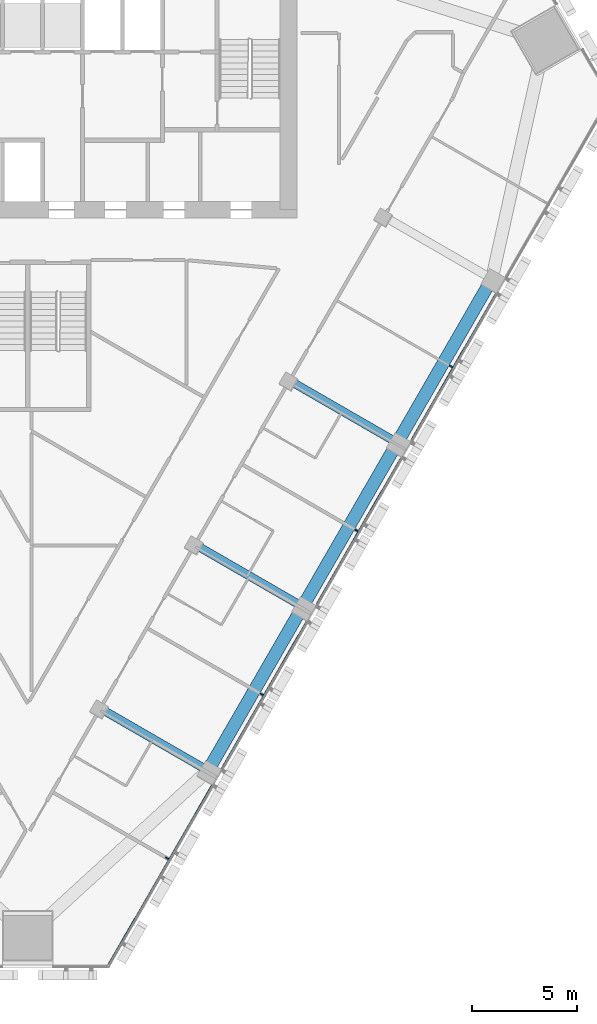
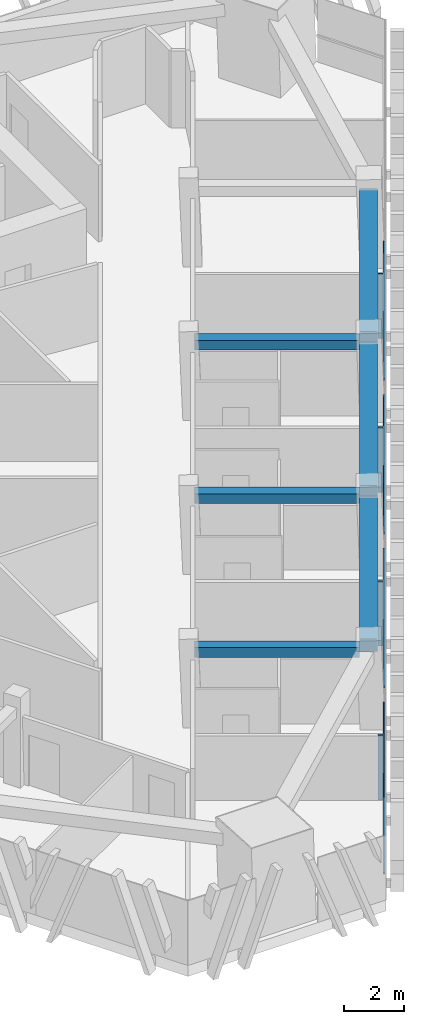
# One storey, part 4 of 16: 8 members, 6 beams, 1 element without a shape of its own.
"""IFC4 building model written with IfcOpenShell, lengths in metres."""

from ifc_helpers import new_model, si_unit, direction, frame, origin, origin_2d, place, context, subcontext, project, spatial, rectangle, extrude, material, layer, layer_set, material_profile, profile_set, type_object, element, aggregate, save


model = new_model("IFC4")

# Units and contexts
model_context = context("Model", 3, precision=1e-05, world=origin(), true_north=direction((0.0, 1.0)))
body_context = subcontext(model_context, "Body", "Model", "MODEL_VIEW")
ifc_project = project(units=[si_unit("LENGTHUNIT", "METRE"), si_unit("AREAUNIT", "SQUARE_METRE"), si_unit("VOLUMEUNIT", "CUBIC_METRE"), si_unit("PLANEANGLEUNIT", "RADIAN"), si_unit("MASSUNIT", "GRAM", prefix="KILO")], contexts=[model_context])

# Site, building, storey
site_placement = place(None, origin())
site = spatial("IfcSite", under=ifc_project, at=site_placement, CompositionType="ELEMENT")
building_placement = place(site_placement, origin())
building = spatial("IfcBuilding", under=site, at=building_placement, Name="Altiplano Prism Tower", CompositionType="ELEMENT")
storey_placement = place(building_placement, frame((0.0, 0.0, 135.0)))
storey = spatial("IfcBuildingStorey", under=building, at=storey_placement, Name="L34", CompositionType="ELEMENT", Elevation=135.0)

# Curtain wall, members
ifc_material_1 = material(Name="Aluminium and glass", Category="aluminium")
ifc_layer = layer(ifc_material_1, 0.280029296875)
ifc_layer_set = layer_set([ifc_layer], Name="Aluminium and glass")
curtain_wall_type = type_object("IfcCurtainWallType", Name="CW1 typical co-living unitised curtain wall", PredefinedType="NOTDEFINED", material=ifc_layer_set)
curtain_wall_placement = place(storey_placement, origin())
curtain_wall = element("IfcCurtainWall", 1, at=curtain_wall_placement, inside=storey, type_object=curtain_wall_type, Name="CW1 curtain wall south-east face L34", PredefinedType="NOTDEFINED")
ifc_material_2 = material(Name="Aluminium", Category="aluminium")
ifc_material_profile_1 = material_profile(ifc_material_2, rectangle(XDim=0.179931640625, YDim=0.06494140625, at=origin_2d()), Name="CW1 mullion 65 x 180")
ifc_profile_set_1 = profile_set([ifc_material_profile_1], Name="Aluminium")
member_type_1 = type_object("IfcMemberType", Name="CW1 mullion 65 x 180", PredefinedType="MULLION", material=ifc_profile_set_1)
member_1_placement = place(storey_placement, frame((91.622314453125, 62.162841796875, 0.0), z_axis=(0.0, 0.0, 1.0), x_axis=(-0.866025401489, 0.500000003975, 0.0)))
member_1 = element("IfcMember", 2, at=member_1_placement, type_object=member_type_1, Name="CW1 mullion", PredefinedType="MULLION", context=body_context, shape_type="SweptSolid", body=[
    extrude(rectangle(XDim=0.179931640625, YDim=0.06494140625, at=origin_2d()), origin(), (0.0, 0.0, 1.0), 2.64990234375),
])
member_2_placement = place(storey_placement, frame((96.122314453125, 69.957275390625, 0.0), z_axis=(0.0, 0.0, 1.0), x_axis=(-0.866025401489, 0.500000003975, 0.0)))
member_2 = element("IfcMember", 3, at=member_2_placement, type_object=member_type_1, Name="CW1 mullion", PredefinedType="MULLION", context=body_context, shape_type="SweptSolid", body=[
    extrude(rectangle(XDim=0.179931640625, YDim=0.06494140625, at=origin_2d()), origin(), (0.0, 0.0, 1.0), 2.64990234375),
])
member_3_placement = place(storey_placement, frame((100.622314453125, 77.75146484375, 0.0), z_axis=(0.0, 0.0, 1.0), x_axis=(-0.866025401489, 0.500000003975, 0.0)))
member_3 = element("IfcMember", 4, at=member_3_placement, type_object=member_type_1, Name="CW1 mullion", PredefinedType="MULLION", context=body_context, shape_type="SweptSolid", body=[
    extrude(rectangle(XDim=0.179931640625, YDim=0.06494140625, at=origin_2d()), origin(), (0.0, 0.0, 1.0), 2.64990234375),
])
member_4_placement = place(storey_placement, frame((105.122314453125, 85.545654296875, 0.0), z_axis=(0.0, 0.0, 1.0), x_axis=(-0.866025401489, 0.500000003975, 0.0)))
member_4 = element("IfcMember", 5, at=member_4_placement, type_object=member_type_1, Name="CW1 mullion", PredefinedType="MULLION", context=body_context, shape_type="SweptSolid", body=[
    extrude(rectangle(XDim=0.179931640625, YDim=0.06494140625, at=origin_2d()), origin(), (0.0, 0.0, 1.0), 2.64990234375),
])
ifc_material_profile_2 = material_profile(ifc_material_2, rectangle(XDim=0.06005859375, YDim=0.080078125, at=origin_2d()), Name="CW1 transom 80 x 60")
ifc_profile_set_2 = profile_set([ifc_material_profile_2], Name="Aluminium")
member_type_2 = type_object("IfcMemberType", Name="CW1 transom 80 x 60", PredefinedType="USERDEFINED", material=ifc_profile_set_2)
member_5_placement = place(storey_placement, frame((88.784912109375, 57.00830078125, 1.10009765625), z_axis=(0.499999788377, 0.866025525965, 0.0), x_axis=(-0.866025525965, 0.499999788377, 0.0)))
member_5 = element("IfcMember", 6, at=member_5_placement, type_object=member_type_2, Name="CW1 transom", ObjectType="TRANSOM", PredefinedType="USERDEFINED", context=body_context, shape_type="SweptSolid", body=[
    extrude(rectangle(XDim=0.06005859375, YDim=0.080078125, at=origin_2d()), origin(), (0.0, 0.0, 1.0), 9.95703125),
])
member_6_placement = place(storey_placement, frame((94.228515625, 66.43701171875, 1.10009765625), z_axis=(0.500007908628, 0.866020837688, 0.0), x_axis=(-0.866020837688, 0.500007908628, 0.0)))
member_6 = element("IfcMember", 7, at=member_6_placement, type_object=member_type_2, Name="CW1 transom", ObjectType="TRANSOM", PredefinedType="USERDEFINED", context=body_context, shape_type="SweptSolid", body=[
    extrude(rectangle(XDim=0.06005859375, YDim=0.080078125, at=origin_2d()), origin(), (0.0, 0.0, 1.0), 8.069580078125),
])
member_7_placement = place(storey_placement, frame((98.728515625, 74.231201171875, 1.10009765625), z_axis=(0.499994808408, 0.866028401131, 0.0), x_axis=(-0.866028401131, 0.499994808408, 0.0)))
member_7 = element("IfcMember", 8, at=member_7_placement, type_object=member_type_2, Name="CW1 transom", ObjectType="TRANSOM", PredefinedType="USERDEFINED", context=body_context, shape_type="SweptSolid", body=[
    extrude(rectangle(XDim=0.06005859375, YDim=0.080078125, at=origin_2d()), origin(), (0.0, 0.0, 1.0), 8.06982421875),
])
member_8_placement = place(storey_placement, frame((103.228515625, 82.025390625, 1.10009765625), z_axis=(0.499994808408, 0.866028401131, 0.0), x_axis=(-0.866028401131, 0.499994808408, 0.0)))
member_8 = element("IfcMember", 9, at=member_8_placement, type_object=member_type_2, Name="CW1 transom", ObjectType="TRANSOM", PredefinedType="USERDEFINED", context=body_context, shape_type="SweptSolid", body=[
    extrude(rectangle(XDim=0.06005859375, YDim=0.080078125, at=origin_2d()), origin(), (0.0, 0.0, 1.0), 8.06982421875),
])
aggregate(curtain_wall, [member_1, member_5, member_2, member_6, member_3, member_7, member_4, member_8])

# Beams
ifc_material_3 = material(Name="Concrete C60/75", Category="concrete")
ifc_material_profile_3 = material_profile(ifc_material_3, rectangle(XDim=0.60009765625, YDim=0.5, at=origin_2d()), Name="Edge beam 600x500")
ifc_profile_set_3 = profile_set([ifc_material_profile_3], Name="Concrete C60/75")
beam_type_1 = type_object("IfcBeamType", Name="Edge beam 600x500", PredefinedType="SPANDREL", material=ifc_profile_set_3)
for number, where, z_axis, x_axis, name in (
    (10, (93.7197265625, 66.5927734375, 2.89990234375), (0.499988621418, 0.866031973112, 0.0), (-0.866031973112, 0.499988621418, 0.0), "Edge beam P21-P22 L35"),
    (11, (98.2197265625, 74.386962890625, 2.89990234375), (0.499988621418, 0.866031973112, 0.0), (-0.866031973112, 0.499988621418, 0.0), "Edge beam P22-P23 L35"),
    (12, (102.7197265625, 82.18115234375, 2.89990234375), (0.499988621418, 0.866031973112, 0.0), (-0.866031973112, 0.499988621418, 0.0), "Edge beam P23-P24 L35"),
):
    element("IfcBeam", number, at=place(storey_placement, frame(where, z_axis=z_axis, x_axis=x_axis)), inside=storey, type_object=beam_type_1, Name=name, PredefinedType="SPANDREL", context=body_context, shape_type="SweptSolid", body=[
        extrude(rectangle(XDim=0.60009765625, YDim=0.5, at=origin_2d()), origin(), (0.0, 0.0, 1.0), 8.389892578125),
    ])
ifc_material_profile_4 = material_profile(ifc_material_3, rectangle(XDim=0.39990234375, YDim=0.39990234375, at=origin_2d()), Name="Tie beam 400x400")
ifc_profile_set_4 = profile_set([ifc_material_profile_4], Name="Concrete C60/75")
beam_type_2 = type_object("IfcBeamType", Name="Tie beam 400x400", PredefinedType="BEAM", material=ifc_profile_set_4)
for number, where, z_axis, x_axis, name in (
    (13, (88.505126953125, 69.2509765625, 2.949951171875), (0.866046155052, -0.499964056028, 0.0), (0.499964056028, 0.866046155052, 0.0), "Tie beam I21 L35"),
    (14, (93.005126953125, 77.04541015625, 2.949951171875), (0.866027073272, -0.499997108352, 0.0), (0.499997108352, 0.866027073272, 0.0), "Tie beam I22 L35"),
    (15, (97.505126953125, 84.839599609375, 2.949951171875), (0.866027073272, -0.499997108352, 0.0), (0.499997108352, 0.866027073272, 0.0), "Tie beam I23 L35"),
):
    element("IfcBeam", number, at=place(storey_placement, frame(where, z_axis=z_axis, x_axis=x_axis)), inside=storey, type_object=beam_type_2, Name=name, PredefinedType="BEAM", context=body_context, shape_type="SweptSolid", body=[
        extrude(rectangle(XDim=0.39990234375, YDim=0.39990234375, at=origin_2d()), origin(), (0.0, 0.0, 1.0), 5.5400390625),
    ])

save(model, "model.ifc")
